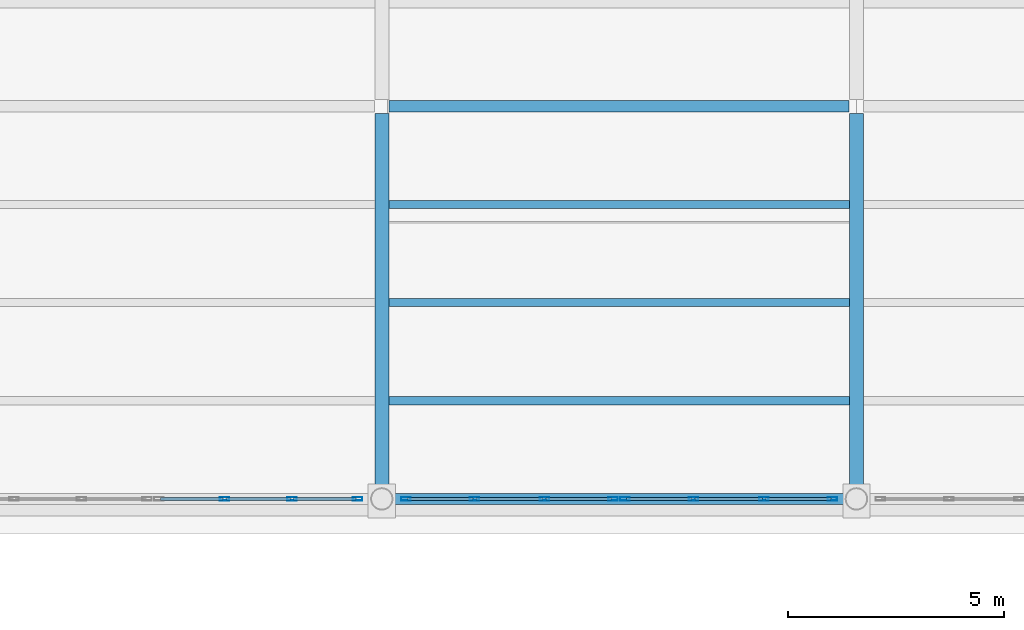
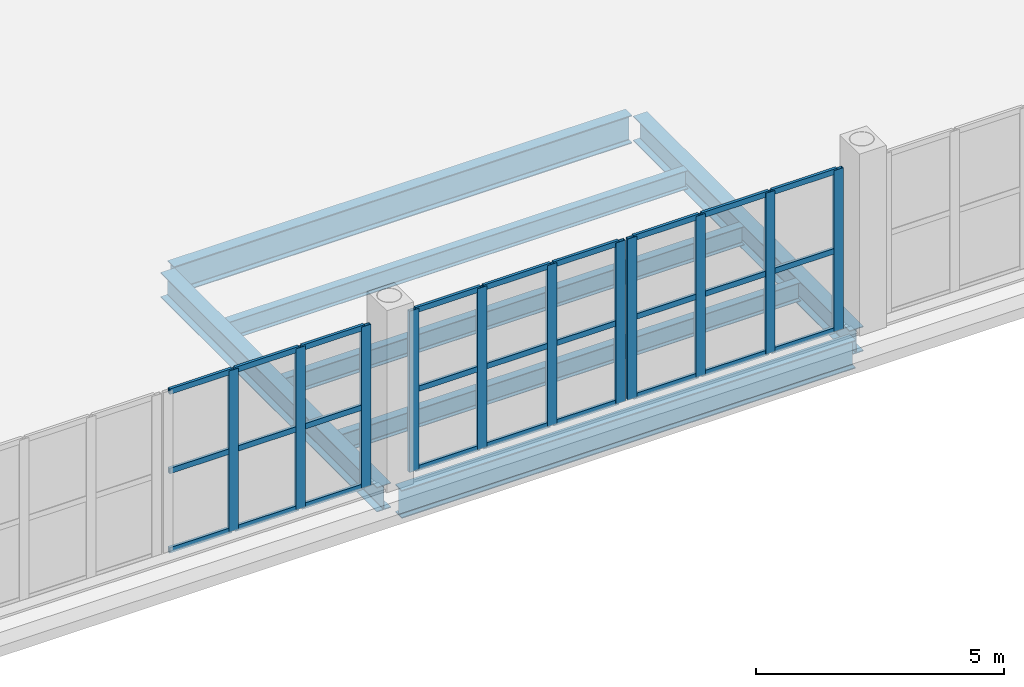
# One storey, part 39 of 156: 38 members, 7 beams, 3 elements without a shape of their own.
"""IFC4 building model written with IfcOpenShell, lengths in metres."""

import ifcopenshell
import ifcopenshell.guid

model = None  # the IFC model being written
_history = None  # IfcOwnerHistory: only IFC2X3 demands one
_inside = {}  # id of a spatial element -> (the spatial element, [elements in it])
_under = {}  # id of a project, library or spatial element -> (it, [spatial elements below it])
_declared = {}  # id of a project -> (the project, [libraries it declares])
_typed = {}  # id of a type object -> (the type object, [elements of that type])
_made_of = {}  # id of a material, layer set ... -> (it, [elements and type objects made of it])


def new_model(schema):
    """Start an empty IFC model of exactly this schema.

    Asked for "IFC4X3", IfcOpenShell would pick the latest addendum, in which some entities
    have other attributes; the version numbers below select the first issue.
    IFC2X3 requires an IfcOwnerHistory on every rooted entity: one is made here for all.
    """
    global model, _history
    if schema == "IFC4X3":
        model = ifcopenshell.file(schema_version=(4, 3, 0, 0))
    else:
        model = ifcopenshell.file(schema=schema)
    _inside.clear()
    _under.clear()
    _declared.clear()
    _typed.clear()
    _made_of.clear()
    _history = None
    if model.schema == "IFC2X3":
        org = make("IfcOrganization", Name="unknown")
        user = make(
            "IfcPersonAndOrganization",
            ThePerson=make("IfcPerson", FamilyName="unknown"),
            TheOrganization=org,
        )
        app = make(
            "IfcApplication",
            ApplicationDeveloper=org,
            Version="unknown",
            ApplicationFullName="unknown",
            ApplicationIdentifier="unknown",
        )
        _history = make(
            "IfcOwnerHistory",
            OwningUser=user,
            OwningApplication=app,
            ChangeAction="ADDED",
            CreationDate=0,
        )
    return model


def make(cls, **values):
    """One entity of the class cls with the attributes given. An attribute that is None is left unset."""
    return model.create_entity(
        cls, **{name: value for name, value in values.items() if value is not None}
    )


def rooted(cls, **values):
    """An entity with a GlobalId (a new one), such as an element, a storey or a relation."""
    return make(cls, GlobalId=ifcopenshell.guid.new(), OwnerHistory=_history, **values)


def si_unit(unit_type, name, prefix=None):
    """IfcSIUnit, for example si_unit("LENGTHUNIT", "METRE", prefix="MILLI")."""
    return make("IfcSIUnit", UnitType=unit_type, Prefix=prefix, Name=name)


def assignment(units):
    """IfcUnitAssignment: the units of a project."""
    return None if units is None else make("IfcUnitAssignment", Units=units)


def point(xyz):
    """IfcCartesianPoint."""
    return None if xyz is None else make("IfcCartesianPoint", Coordinates=xyz)


def direction(xyz):
    """IfcDirection."""
    return None if xyz is None else make("IfcDirection", DirectionRatios=xyz)


def frame(location, z_axis=None, x_axis=None):
    """IfcAxis2Placement3D, a coordinate frame: its origin and axes. An axis left out is left unset."""
    return make(
        "IfcAxis2Placement3D",
        Location=point(location),
        Axis=direction(z_axis),
        RefDirection=direction(x_axis),
    )


def frame_2d(location, x_axis=None):
    """IfcAxis2Placement2D, a coordinate frame in the plane: its origin and x axis."""
    return make(
        "IfcAxis2Placement2D", Location=point(location), RefDirection=direction(x_axis)
    )


def origin():
    """The frame at (0, 0, 0) with its axes left unset."""
    return frame((0.0, 0.0, 0.0))


def origin_2d():
    """The frame at (0, 0) in the plane with its x axis left unset."""
    return frame_2d((0.0, 0.0))


def place(relative_to, where):
    """IfcLocalPlacement: puts the frame where relative to a parent placement (None: the world)."""
    return make(
        "IfcLocalPlacement", PlacementRelTo=relative_to, RelativePlacement=where
    )


def context(
    kind, dimensions, precision=None, world=None, true_north=None, identifier=None
):
    """IfcGeometricRepresentationContext, for example the 3D "Model" context."""
    return make(
        "IfcGeometricRepresentationContext",
        ContextIdentifier=identifier,
        ContextType=kind,
        CoordinateSpaceDimension=dimensions,
        Precision=precision,
        WorldCoordinateSystem=world,
        TrueNorth=true_north,
    )


def subcontext(parent, identifier, kind, view, scale=None):
    """IfcGeometricRepresentationSubContext, for example "Body" below "Model"."""
    return make(
        "IfcGeometricRepresentationSubContext",
        ContextIdentifier=identifier,
        ContextType=kind,
        ParentContext=parent,
        TargetScale=scale,
        TargetView=view,
    )


def project(units=None, contexts=None):
    """IfcProject with its units and contexts."""
    return rooted(
        "IfcProject",
        Name="project",
        RepresentationContexts=contexts,
        UnitsInContext=assignment(units),
    )


def spatial(cls, under=None, at=None, **own):
    """A site, building, storey or space (cls), placed at a placement, below another one or the project."""
    s = rooted(cls, ObjectPlacement=at, **own)
    if under is not None:
        _under.setdefault(under.id(), (under, []))[1].append(s)
    return s


def profile(cls, at=None, kind="AREA", **sizes):
    """A parametric profile (cls). Its sizes go by their IFC names, for example OverallWidth=200.0."""
    return make(cls, ProfileType=kind, Position=at, **sizes)


def hollow_rectangle(**sizes):
    """IfcRectangleHollowProfileDef."""
    return profile("IfcRectangleHollowProfileDef", **sizes)


def i_section(**sizes):
    """IfcIShapeProfileDef."""
    return profile("IfcIShapeProfileDef", **sizes)


def extrude(swept, where, along, depth):
    """IfcExtrudedAreaSolid: the profile swept, set in the frame where, extruded along a direction by depth."""
    return make(
        "IfcExtrudedAreaSolid",
        SweptArea=swept,
        Position=where,
        ExtrudedDirection=direction(along),
        Depth=depth,
    )


def shape(context_of_items, identifier, shape_type, items):
    """IfcShapeRepresentation: the items that make up one representation, for example the "Body"."""
    return make(
        "IfcShapeRepresentation",
        ContextOfItems=context_of_items,
        RepresentationIdentifier=identifier,
        RepresentationType=shape_type,
        Items=items,
    )


def material(Name=None, Category=None):
    """IfcMaterial."""
    return make("IfcMaterial", Name=Name, Category=Category)


def material_profile(
    of_material, cross_section, Name=None, Category=None, Priority=None
):
    """IfcMaterialProfile: a cross section and its material."""
    return make(
        "IfcMaterialProfile",
        Name=Name,
        Material=of_material,
        Profile=cross_section,
        Priority=Priority,
        Category=Category,
    )


def profile_set(profiles, Name=None, composite=None):
    """IfcMaterialProfileSet."""
    return make(
        "IfcMaterialProfileSet",
        Name=Name,
        MaterialProfiles=profiles,
        CompositeProfile=composite,
    )


def made_of(thing, what):
    """Note that an element or type object is made of a material, layer set ...; save() writes the relation."""
    if what is not None:
        _made_of.setdefault(what.id(), (what, []))[1].append(thing)
    return thing


def type_object(cls, material=None, **own):
    """A type object (cls), such as IfcWallType, which elements share."""
    return made_of(rooted(cls, **own), material)


def element(
    cls,
    number,
    at=None,
    inside=None,
    cuts=None,
    type_object=None,
    material=None,
    context=None,
    identifier="Body",
    shape_type=None,
    held_by="IfcProductDefinitionShape",
    body=None,
    shapes=None,
    **own,
):
    """One element of the class cls, such as IfcWall. Its Tag is "e" and its number.

    at: its placement. inside: the storey or other place that contains it. cuts: it is an
    opening in that element (IfcRelVoidsElement). A single representation is given by context,
    identifier, shape_type and body (its items); several are given by shapes. held_by: the class
    of the entity that holds the representations. save() writes the other relations.
    """
    e = rooted(cls, Tag="e%d" % number, ObjectPlacement=at, **own)
    if body is not None:
        shapes = [shape(context, identifier, shape_type, body)]
    if shapes is not None:
        e.Representation = make(held_by, Representations=shapes)
    if inside is not None:
        _inside.setdefault(inside.id(), (inside, []))[1].append(e)
    if cuts is not None:
        rooted(
            "IfcRelVoidsElement", RelatingBuildingElement=cuts, RelatedOpeningElement=e
        )
    if type_object is not None:
        _typed.setdefault(type_object.id(), (type_object, []))[1].append(e)
    return made_of(e, material)


def aggregate(whole, parts):
    """IfcRelAggregates: a whole, such as a stair, and the parts it consists of."""
    return rooted("IfcRelAggregates", RelatingObject=whole, RelatedObjects=parts)


def save(model, path):
    """Write the relations noted so far, then the file.

    IfcRelAggregates (storeys below a building ...), IfcRelContainedInSpatialStructure (elements
    in a storey), IfcRelDefinesByType, IfcRelAssociatesMaterial and IfcRelDeclares: one each for
    every whole, place, type object, material and project.
    """
    for whole, parts in _under.values():
        aggregate(whole, parts)
    for where, things in _inside.values():
        rooted(
            "IfcRelContainedInSpatialStructure",
            RelatedElements=things,
            RelatingStructure=where,
        )
    for kind, things in _typed.values():
        rooted("IfcRelDefinesByType", RelatedObjects=things, RelatingType=kind)
    for what, things in _made_of.values():
        rooted("IfcRelAssociatesMaterial", RelatedObjects=things, RelatingMaterial=what)
    for by, libraries in _declared.values():
        rooted("IfcRelDeclares", RelatingContext=by, RelatedDefinitions=libraries)
    model.write(path)


model = new_model("IFC4")

# Units and contexts
model_context = context("Model", 3, precision=1e-05, world=origin(), true_north=direction((0.0, 1.0)))
body_context = subcontext(model_context, "Body", "Model", "MODEL_VIEW")
ifc_project = project(units=[si_unit("LENGTHUNIT", "METRE"), si_unit("AREAUNIT", "SQUARE_METRE"), si_unit("VOLUMEUNIT", "CUBIC_METRE"), si_unit("PLANEANGLEUNIT", "RADIAN"), si_unit("MASSUNIT", "GRAM", prefix="KILO")], contexts=[model_context])

# Site, building, storey
site_placement = place(None, origin())
site = spatial("IfcSite", under=ifc_project, at=site_placement, CompositionType="ELEMENT")
building_placement = place(site_placement, origin())
building = spatial("IfcBuilding", under=site, at=building_placement, Name="Caurita Quay Ferry Terminal", CompositionType="ELEMENT")
storey_placement = place(building_placement, frame((0.0, 0.0, 5.39990234375)))
storey = spatial("IfcBuildingStorey", under=building, at=storey_placement, Name="L01", CompositionType="ELEMENT", Elevation=5.39990234375)

# Beams
ifc_material_1 = material(Name="Structural steel ASTM A992 Gr. 50", Category="steel")
ifc_material_profile_1 = material_profile(ifc_material_1, i_section(OverallWidth=0.3251953125, OverallDepth=0.612060546875, WebThickness=0.0126953125, FlangeThickness=0.01904296875, FilletRadius=0.01513671875, at=origin_2d()), Name="W24X104")
ifc_profile_set_1 = profile_set([ifc_material_profile_1], Name="Structural steel ASTM A992 Gr. 50")
beam_type_1 = type_object("IfcBeamType", Name="BM-GR-W24A", PredefinedType="BEAM", material=ifc_profile_set_1)
for number, where, z_axis, x_axis, name in (
    (1, (99.199951171875, 34.81591796875, -0.60595703125), (0.0, 1.0, 0.0), (-1.0, 0.0, 0.0), "L01 Beam BM-V2-L01-Y-992-348"),
    (2, (110.199951171875, 34.81591796875, -0.60595703125), (0.0, 1.0, 0.0), (-1.0, 0.0, 0.0), "L01 Beam BM-V2-L01-Y-1102-348"),
):
    element("IfcBeam", number, at=place(storey_placement, frame(where, z_axis=z_axis, x_axis=x_axis)), inside=storey, type_object=beam_type_1, Name=name, PredefinedType="BEAM", context=body_context, shape_type="SweptSolid", body=[
        extrude(i_section(OverallWidth=0.3251953125, OverallDepth=0.612060546875, WebThickness=0.0126953125, FlangeThickness=0.01904296875, FilletRadius=0.01513671875, at=origin_2d()), origin(), (0.0, 0.0, 1.0), 8.72216796875),
    ])
ifc_material_profile_2 = material_profile(ifc_material_1, i_section(OverallWidth=0.256591796875, OverallDepth=0.693359375, WebThickness=0.014404296875, FlangeThickness=0.023681640625, FilletRadius=0.017822265625, at=origin_2d()), Name="W27X114")
ifc_profile_set_2 = profile_set([ifc_material_profile_2], Name="Structural steel ASTM A992 Gr. 50")
beam_type_2 = type_object("IfcBeamType", Name="BM-GR-W27A", PredefinedType="BEAM", material=ifc_profile_set_2)
beam_1_placement = place(storey_placement, frame((99.416015625, 34.60009765625, -0.646484375), z_axis=(1.0, 0.0, 0.0), x_axis=(0.0, 1.0, 0.0)))
element("IfcBeam", 3, at=beam_1_placement, inside=storey, type_object=beam_type_2, Name="L01 Beam BM-V2-L01-X-994-346", PredefinedType="BEAM", context=body_context, shape_type="SweptSolid", body=[
    extrude(i_section(OverallWidth=0.256591796875, OverallDepth=0.693359375, WebThickness=0.014404296875, FlangeThickness=0.023681640625, FilletRadius=0.017822265625, at=origin_2d()), origin(), (0.0, 0.0, 1.0), 10.568115234375),
])
beam_2_placement = place(storey_placement, frame((99.368408203125, 43.699951171875, -0.646484375), z_axis=(1.0, 0.0, 0.0), x_axis=(0.0, 1.0, 0.0)))
element("IfcBeam", 4, at=beam_2_placement, inside=storey, type_object=beam_type_2, Name="L01 Beam BM-V2-L01-X-994-437", PredefinedType="BEAM", context=body_context, shape_type="SweptSolid", body=[
    extrude(i_section(OverallWidth=0.256591796875, OverallDepth=0.693359375, WebThickness=0.014404296875, FlangeThickness=0.023681640625, FilletRadius=0.017822265625, at=origin_2d()), origin(), (0.0, 0.0, 1.0), 10.663330078125),
])
ifc_material_profile_3 = material_profile(ifc_material_1, i_section(OverallWidth=0.1904296875, OverallDepth=0.457275390625, WebThickness=0.009033203125, FlangeThickness=0.014404296875, FilletRadius=0.0126953125, at=origin_2d()), Name="W18X50")
ifc_profile_set_3 = profile_set([ifc_material_profile_3], Name="Structural steel ASTM A992 Gr. 50")
beam_type_3 = type_object("IfcBeamType", Name="BM-JS-W18B", PredefinedType="JOIST", material=ifc_profile_set_3)
for number, where, z_axis, x_axis, name in (
    (5, (99.362548828125, 36.875, -0.528564453125), (1.0, 0.0, 0.0), (0.0, 1.0, 0.0), "L01 Beam JS-V2-L01-010"),
    (6, (99.362548828125, 39.14990234375, -0.528564453125), (1.0, 0.0, 0.0), (0.0, 1.0, 0.0), "L01 Beam JS-V2-L01-011"),
    (7, (99.362548828125, 41.425048828125, -0.528564453125), (1.0, 0.0, 0.0), (0.0, 1.0, 0.0), "L01 Beam JS-V2-L01-012"),
):
    element("IfcBeam", number, at=place(storey_placement, frame(where, z_axis=z_axis, x_axis=x_axis)), inside=storey, type_object=beam_type_3, Name=name, PredefinedType="JOIST", context=body_context, shape_type="SweptSolid", body=[
        extrude(i_section(OverallWidth=0.1904296875, OverallDepth=0.457275390625, WebThickness=0.009033203125, FlangeThickness=0.014404296875, FilletRadius=0.0126953125, at=origin_2d()), origin(), (0.0, 0.0, 1.0), 10.675048828125),
    ])

# Curtain wall, members
ifc_material_2 = material(Name="Laminated solar-control insulated glass", Category="glass")
curtain_wall_type_1 = type_object("IfcCurtainWallType", Name="CW-SYS-09", PredefinedType="NOTDEFINED", material=ifc_material_2)
curtain_wall_1_placement = place(storey_placement, origin())
curtain_wall_1 = element("IfcCurtainWall", 8, at=curtain_wall_1_placement, inside=storey, type_object=curtain_wall_type_1, Name="V2 Waterside Concourse Curtain Wall 066", PredefinedType="NOTDEFINED")
ifc_material_3 = material(Name="Anodized aluminium 6063-T6", Category="aluminium")
ifc_material_profile_4 = material_profile(ifc_material_3, hollow_rectangle(XDim=0.074951171875, YDim=0.219970703125, WallThickness=0.00390625, at=origin_2d()), Name="ALU-MUL-75X220")
ifc_profile_set_4 = profile_set([ifc_material_profile_4], Name="Anodized aluminium 6063-T6")
member_type_1 = type_object("IfcMemberType", Name="CW-MUL-220", PredefinedType="MULLION", material=ifc_profile_set_4)
member_1_placement = place(storey_placement, frame((95.56005859375, 34.60009765625, 0.0), z_axis=(0.0, 0.0, 1.0), x_axis=(0.0, 1.0, 0.0)))
member_1 = element("IfcMember", 9, at=member_1_placement, type_object=member_type_1, Name="CW-SEA-066 Mullion 2", PredefinedType="MULLION", context=body_context, shape_type="SweptSolid", body=[
    extrude(hollow_rectangle(XDim=0.074951171875, YDim=0.219970703125, WallThickness=0.00390625, at=origin_2d()), origin(), (0.0, 0.0, 1.0), 3.97021484375),
])
member_2_placement = place(storey_placement, frame((97.1201171875, 34.60009765625, 0.0), z_axis=(0.0, 0.0, 1.0), x_axis=(0.0, 1.0, 0.0)))
member_2 = element("IfcMember", 10, at=member_2_placement, type_object=member_type_1, Name="CW-SEA-066 Mullion 3", PredefinedType="MULLION", context=body_context, shape_type="SweptSolid", body=[
    extrude(hollow_rectangle(XDim=0.074951171875, YDim=0.219970703125, WallThickness=0.00390625, at=origin_2d()), origin(), (0.0, 0.0, 1.0), 3.97021484375),
])
member_3_placement = place(storey_placement, frame((98.642578125, 34.60009765625, 0.0), z_axis=(0.0, 0.0, 1.0), x_axis=(0.0, 1.0, 0.0)))
member_3 = element("IfcMember", 11, at=member_3_placement, type_object=member_type_1, Name="CW-SEA-066 Mullion 4", PredefinedType="MULLION", context=body_context, shape_type="SweptSolid", body=[
    extrude(hollow_rectangle(XDim=0.074951171875, YDim=0.219970703125, WallThickness=0.00390625, at=origin_2d()), origin(), (0.0, 0.0, 1.0), 3.97021484375),
])

curtain_wall_type_2 = type_object("IfcCurtainWallType", Name="CW-SYS-08", PredefinedType="NOTDEFINED", material=ifc_material_2)
curtain_wall_2_placement = place(storey_placement, origin())
curtain_wall_2 = element("IfcCurtainWall", 12, at=curtain_wall_2_placement, inside=storey, type_object=curtain_wall_type_2, Name="V2 Waterside Concourse Curtain Wall 067", PredefinedType="NOTDEFINED")
member_4_placement = place(storey_placement, frame((99.757568359375, 34.60009765625, 0.0), z_axis=(0.0, 0.0, 1.0), x_axis=(0.0, 1.0, 0.0)))
member_4 = element("IfcMember", 13, at=member_4_placement, type_object=member_type_1, Name="CW-SEA-067 Mullion 1", PredefinedType="MULLION", context=body_context, shape_type="SweptSolid", body=[
    extrude(hollow_rectangle(XDim=0.074951171875, YDim=0.219970703125, WallThickness=0.00390625, at=origin_2d()), origin(), (0.0, 0.0, 1.0), 3.97021484375),
])
member_5_placement = place(storey_placement, frame((101.3466796875, 34.60009765625, 0.0), z_axis=(0.0, 0.0, 1.0), x_axis=(0.0, 1.0, 0.0)))
member_5 = element("IfcMember", 14, at=member_5_placement, type_object=member_type_1, Name="CW-SEA-067 Mullion 2", PredefinedType="MULLION", context=body_context, shape_type="SweptSolid", body=[
    extrude(hollow_rectangle(XDim=0.074951171875, YDim=0.219970703125, WallThickness=0.00390625, at=origin_2d()), origin(), (0.0, 0.0, 1.0), 3.97021484375),
])
member_6_placement = place(storey_placement, frame((102.973388671875, 34.60009765625, 0.0), z_axis=(0.0, 0.0, 1.0), x_axis=(0.0, 1.0, 0.0)))
member_6 = element("IfcMember", 15, at=member_6_placement, type_object=member_type_1, Name="CW-SEA-067 Mullion 3", PredefinedType="MULLION", context=body_context, shape_type="SweptSolid", body=[
    extrude(hollow_rectangle(XDim=0.074951171875, YDim=0.219970703125, WallThickness=0.00390625, at=origin_2d()), origin(), (0.0, 0.0, 1.0), 3.97021484375),
])
member_7_placement = place(storey_placement, frame((104.5625, 34.60009765625, 0.0), z_axis=(0.0, 0.0, 1.0), x_axis=(0.0, 1.0, 0.0)))
member_7 = element("IfcMember", 16, at=member_7_placement, type_object=member_type_1, Name="CW-SEA-067 Mullion 4", PredefinedType="MULLION", context=body_context, shape_type="SweptSolid", body=[
    extrude(hollow_rectangle(XDim=0.074951171875, YDim=0.219970703125, WallThickness=0.00390625, at=origin_2d()), origin(), (0.0, 0.0, 1.0), 3.97021484375),
])

curtain_wall_3_placement = place(storey_placement, origin())
curtain_wall_3 = element("IfcCurtainWall", 17, at=curtain_wall_3_placement, inside=storey, type_object=curtain_wall_type_2, Name="V2 Waterside Concourse Curtain Wall 068", PredefinedType="NOTDEFINED")
member_8_placement = place(storey_placement, frame((104.83740234375, 34.60009765625, 0.0), z_axis=(0.0, 0.0, 1.0), x_axis=(0.0, 1.0, 0.0)))
member_8 = element("IfcMember", 18, at=member_8_placement, type_object=member_type_1, Name="CW-SEA-068 Mullion 1", PredefinedType="MULLION", context=body_context, shape_type="SweptSolid", body=[
    extrude(hollow_rectangle(XDim=0.074951171875, YDim=0.219970703125, WallThickness=0.00390625, at=origin_2d()), origin(), (0.0, 0.0, 1.0), 3.97021484375),
])
member_9_placement = place(storey_placement, frame((106.4267578125, 34.60009765625, 0.0), z_axis=(0.0, 0.0, 1.0), x_axis=(0.0, 1.0, 0.0)))
member_9 = element("IfcMember", 19, at=member_9_placement, type_object=member_type_1, Name="CW-SEA-068 Mullion 2", PredefinedType="MULLION", context=body_context, shape_type="SweptSolid", body=[
    extrude(hollow_rectangle(XDim=0.074951171875, YDim=0.219970703125, WallThickness=0.00390625, at=origin_2d()), origin(), (0.0, 0.0, 1.0), 3.97021484375),
])
member_10_placement = place(storey_placement, frame((108.05322265625, 34.60009765625, 0.0), z_axis=(0.0, 0.0, 1.0), x_axis=(0.0, 1.0, 0.0)))
member_10 = element("IfcMember", 20, at=member_10_placement, type_object=member_type_1, Name="CW-SEA-068 Mullion 3", PredefinedType="MULLION", context=body_context, shape_type="SweptSolid", body=[
    extrude(hollow_rectangle(XDim=0.074951171875, YDim=0.219970703125, WallThickness=0.00390625, at=origin_2d()), origin(), (0.0, 0.0, 1.0), 3.97021484375),
])
member_11_placement = place(storey_placement, frame((109.642578125, 34.60009765625, 0.0), z_axis=(0.0, 0.0, 1.0), x_axis=(0.0, 1.0, 0.0)))
member_11 = element("IfcMember", 21, at=member_11_placement, type_object=member_type_1, Name="CW-SEA-068 Mullion 4", PredefinedType="MULLION", context=body_context, shape_type="SweptSolid", body=[
    extrude(hollow_rectangle(XDim=0.074951171875, YDim=0.219970703125, WallThickness=0.00390625, at=origin_2d()), origin(), (0.0, 0.0, 1.0), 3.97021484375),
])

# Member
ifc_material_profile_5 = material_profile(ifc_material_3, hollow_rectangle(XDim=0.06494140625, YDim=0.135009765625, WallThickness=0.00341796875, at=origin_2d()), Name="ALU-TRN-65X135")
ifc_profile_set_5 = profile_set([ifc_material_profile_5], Name="Anodized aluminium 6063-T6")
member_type_2 = type_object("IfcMemberType", Name="CW-TRN-135", PredefinedType="USERDEFINED", material=ifc_profile_set_5)
member_12_placement = place(storey_placement, frame((94.072998046875, 34.60009765625, 0.03271484375), z_axis=(1.0, 0.0, 0.0), x_axis=(0.0, 1.0, 0.0)))
member_12 = element("IfcMember", 22, at=member_12_placement, type_object=member_type_2, Name="CW-SEA-066 Transom 1", ObjectType="TRANSOM", PredefinedType="USERDEFINED", context=body_context, shape_type="SweptSolid", body=[
    extrude(hollow_rectangle(XDim=0.06494140625, YDim=0.135009765625, WallThickness=0.00341796875, at=origin_2d()), origin(), (0.0, 0.0, 1.0), 1.451416015625),
])

member_13_placement = place(storey_placement, frame((94.072998046875, 34.60009765625, 1.985107421875), z_axis=(1.0, 0.0, 0.0), x_axis=(0.0, 1.0, 0.0)))
member_13 = element("IfcMember", 23, at=member_13_placement, type_object=member_type_2, Name="CW-SEA-066 Transom 2", ObjectType="TRANSOM", PredefinedType="USERDEFINED", context=body_context, shape_type="SweptSolid", body=[
    extrude(hollow_rectangle(XDim=0.06494140625, YDim=0.135009765625, WallThickness=0.00341796875, at=origin_2d()), origin(), (0.0, 0.0, 1.0), 1.451416015625),
])

member_14_placement = place(storey_placement, frame((94.072998046875, 34.60009765625, 3.9375), z_axis=(1.0, 0.0, 0.0), x_axis=(0.0, 1.0, 0.0)))
member_14 = element("IfcMember", 24, at=member_14_placement, type_object=member_type_2, Name="CW-SEA-066 Transom 3", ObjectType="TRANSOM", PredefinedType="USERDEFINED", context=body_context, shape_type="SweptSolid", body=[
    extrude(hollow_rectangle(XDim=0.06494140625, YDim=0.135009765625, WallThickness=0.00341796875, at=origin_2d()), origin(), (0.0, 0.0, 1.0), 1.451416015625),
])

member_15_placement = place(storey_placement, frame((95.595458984375, 34.60009765625, 0.03271484375), z_axis=(1.0, 0.0, 0.0), x_axis=(0.0, 1.0, 0.0)))
member_15 = element("IfcMember", 25, at=member_15_placement, type_object=member_type_2, Name="CW-SEA-066 Transom 4", ObjectType="TRANSOM", PredefinedType="USERDEFINED", context=body_context, shape_type="SweptSolid", body=[
    extrude(hollow_rectangle(XDim=0.06494140625, YDim=0.135009765625, WallThickness=0.00341796875, at=origin_2d()), origin(), (0.0, 0.0, 1.0), 1.489013671875),
])

member_16_placement = place(storey_placement, frame((95.595458984375, 34.60009765625, 1.985107421875), z_axis=(1.0, 0.0, 0.0), x_axis=(0.0, 1.0, 0.0)))
member_16 = element("IfcMember", 26, at=member_16_placement, type_object=member_type_2, Name="CW-SEA-066 Transom 5", ObjectType="TRANSOM", PredefinedType="USERDEFINED", context=body_context, shape_type="SweptSolid", body=[
    extrude(hollow_rectangle(XDim=0.06494140625, YDim=0.135009765625, WallThickness=0.00341796875, at=origin_2d()), origin(), (0.0, 0.0, 1.0), 1.489013671875),
])

member_17_placement = place(storey_placement, frame((95.595458984375, 34.60009765625, 3.9375), z_axis=(1.0, 0.0, 0.0), x_axis=(0.0, 1.0, 0.0)))
member_17 = element("IfcMember", 27, at=member_17_placement, type_object=member_type_2, Name="CW-SEA-066 Transom 6", ObjectType="TRANSOM", PredefinedType="USERDEFINED", context=body_context, shape_type="SweptSolid", body=[
    extrude(hollow_rectangle(XDim=0.06494140625, YDim=0.135009765625, WallThickness=0.00341796875, at=origin_2d()), origin(), (0.0, 0.0, 1.0), 1.489013671875),
])

member_18_placement = place(storey_placement, frame((97.155517578125, 34.60009765625, 0.03271484375), z_axis=(1.0, 0.0, 0.0), x_axis=(0.0, 1.0, 0.0)))
member_18 = element("IfcMember", 28, at=member_18_placement, type_object=member_type_2, Name="CW-SEA-066 Transom 7", ObjectType="TRANSOM", PredefinedType="USERDEFINED", context=body_context, shape_type="SweptSolid", body=[
    extrude(hollow_rectangle(XDim=0.06494140625, YDim=0.135009765625, WallThickness=0.00341796875, at=origin_2d()), origin(), (0.0, 0.0, 1.0), 1.451416015625),
])

member_19_placement = place(storey_placement, frame((97.155517578125, 34.60009765625, 1.985107421875), z_axis=(1.0, 0.0, 0.0), x_axis=(0.0, 1.0, 0.0)))
member_19 = element("IfcMember", 29, at=member_19_placement, type_object=member_type_2, Name="CW-SEA-066 Transom 8", ObjectType="TRANSOM", PredefinedType="USERDEFINED", context=body_context, shape_type="SweptSolid", body=[
    extrude(hollow_rectangle(XDim=0.06494140625, YDim=0.135009765625, WallThickness=0.00341796875, at=origin_2d()), origin(), (0.0, 0.0, 1.0), 1.451416015625),
])

member_20_placement = place(storey_placement, frame((97.155517578125, 34.60009765625, 3.9375), z_axis=(1.0, 0.0, 0.0), x_axis=(0.0, 1.0, 0.0)))
member_20 = element("IfcMember", 30, at=member_20_placement, type_object=member_type_2, Name="CW-SEA-066 Transom 9", ObjectType="TRANSOM", PredefinedType="USERDEFINED", context=body_context, shape_type="SweptSolid", body=[
    extrude(hollow_rectangle(XDim=0.06494140625, YDim=0.135009765625, WallThickness=0.00341796875, at=origin_2d()), origin(), (0.0, 0.0, 1.0), 1.451416015625),
])

aggregate(curtain_wall_1, [member_1, member_2, member_3, member_12, member_13, member_14, member_15, member_16, member_17, member_18, member_19, member_20])

member_21_placement = place(storey_placement, frame((99.79296875, 34.60009765625, 0.03271484375), z_axis=(1.0, 0.0, 0.0), x_axis=(0.0, 1.0, 0.0)))
member_21 = element("IfcMember", 31, at=member_21_placement, type_object=member_type_2, Name="CW-SEA-067 Transom 1", ObjectType="TRANSOM", PredefinedType="USERDEFINED", context=body_context, shape_type="SweptSolid", body=[
    extrude(hollow_rectangle(XDim=0.06494140625, YDim=0.135009765625, WallThickness=0.00341796875, at=origin_2d()), origin(), (0.0, 0.0, 1.0), 1.518310546875),
])

member_22_placement = place(storey_placement, frame((99.79296875, 34.60009765625, 1.985107421875), z_axis=(1.0, 0.0, 0.0), x_axis=(0.0, 1.0, 0.0)))
member_22 = element("IfcMember", 32, at=member_22_placement, type_object=member_type_2, Name="CW-SEA-067 Transom 2", ObjectType="TRANSOM", PredefinedType="USERDEFINED", context=body_context, shape_type="SweptSolid", body=[
    extrude(hollow_rectangle(XDim=0.06494140625, YDim=0.135009765625, WallThickness=0.00341796875, at=origin_2d()), origin(), (0.0, 0.0, 1.0), 1.518310546875),
])

member_23_placement = place(storey_placement, frame((99.79296875, 34.60009765625, 3.9375), z_axis=(1.0, 0.0, 0.0), x_axis=(0.0, 1.0, 0.0)))
member_23 = element("IfcMember", 33, at=member_23_placement, type_object=member_type_2, Name="CW-SEA-067 Transom 3", ObjectType="TRANSOM", PredefinedType="USERDEFINED", context=body_context, shape_type="SweptSolid", body=[
    extrude(hollow_rectangle(XDim=0.06494140625, YDim=0.135009765625, WallThickness=0.00341796875, at=origin_2d()), origin(), (0.0, 0.0, 1.0), 1.518310546875),
])

member_24_placement = place(storey_placement, frame((101.382080078125, 34.60009765625, 0.03271484375), z_axis=(1.0, 0.0, 0.0), x_axis=(0.0, 1.0, 0.0)))
member_24 = element("IfcMember", 34, at=member_24_placement, type_object=member_type_2, Name="CW-SEA-067 Transom 4", ObjectType="TRANSOM", PredefinedType="USERDEFINED", context=body_context, shape_type="SweptSolid", body=[
    extrude(hollow_rectangle(XDim=0.06494140625, YDim=0.135009765625, WallThickness=0.00341796875, at=origin_2d()), origin(), (0.0, 0.0, 1.0), 1.5556640625),
])

member_25_placement = place(storey_placement, frame((101.382080078125, 34.60009765625, 1.985107421875), z_axis=(1.0, 0.0, 0.0), x_axis=(0.0, 1.0, 0.0)))
member_25 = element("IfcMember", 35, at=member_25_placement, type_object=member_type_2, Name="CW-SEA-067 Transom 5", ObjectType="TRANSOM", PredefinedType="USERDEFINED", context=body_context, shape_type="SweptSolid", body=[
    extrude(hollow_rectangle(XDim=0.06494140625, YDim=0.135009765625, WallThickness=0.00341796875, at=origin_2d()), origin(), (0.0, 0.0, 1.0), 1.5556640625),
])

member_26_placement = place(storey_placement, frame((101.382080078125, 34.60009765625, 3.9375), z_axis=(1.0, 0.0, 0.0), x_axis=(0.0, 1.0, 0.0)))
member_26 = element("IfcMember", 36, at=member_26_placement, type_object=member_type_2, Name="CW-SEA-067 Transom 6", ObjectType="TRANSOM", PredefinedType="USERDEFINED", context=body_context, shape_type="SweptSolid", body=[
    extrude(hollow_rectangle(XDim=0.06494140625, YDim=0.135009765625, WallThickness=0.00341796875, at=origin_2d()), origin(), (0.0, 0.0, 1.0), 1.5556640625),
])

member_27_placement = place(storey_placement, frame((103.0087890625, 34.60009765625, 0.03271484375), z_axis=(1.0, 0.0, 0.0), x_axis=(0.0, 1.0, 0.0)))
member_27 = element("IfcMember", 37, at=member_27_placement, type_object=member_type_2, Name="CW-SEA-067 Transom 7", ObjectType="TRANSOM", PredefinedType="USERDEFINED", context=body_context, shape_type="SweptSolid", body=[
    extrude(hollow_rectangle(XDim=0.06494140625, YDim=0.135009765625, WallThickness=0.00341796875, at=origin_2d()), origin(), (0.0, 0.0, 1.0), 1.518310546875),
])

member_28_placement = place(storey_placement, frame((103.0087890625, 34.60009765625, 1.985107421875), z_axis=(1.0, 0.0, 0.0), x_axis=(0.0, 1.0, 0.0)))
member_28 = element("IfcMember", 38, at=member_28_placement, type_object=member_type_2, Name="CW-SEA-067 Transom 8", ObjectType="TRANSOM", PredefinedType="USERDEFINED", context=body_context, shape_type="SweptSolid", body=[
    extrude(hollow_rectangle(XDim=0.06494140625, YDim=0.135009765625, WallThickness=0.00341796875, at=origin_2d()), origin(), (0.0, 0.0, 1.0), 1.518310546875),
])

member_29_placement = place(storey_placement, frame((103.0087890625, 34.60009765625, 3.9375), z_axis=(1.0, 0.0, 0.0), x_axis=(0.0, 1.0, 0.0)))
member_29 = element("IfcMember", 39, at=member_29_placement, type_object=member_type_2, Name="CW-SEA-067 Transom 9", ObjectType="TRANSOM", PredefinedType="USERDEFINED", context=body_context, shape_type="SweptSolid", body=[
    extrude(hollow_rectangle(XDim=0.06494140625, YDim=0.135009765625, WallThickness=0.00341796875, at=origin_2d()), origin(), (0.0, 0.0, 1.0), 1.518310546875),
])

aggregate(curtain_wall_2, [member_4, member_5, member_6, member_7, member_21, member_22, member_23, member_24, member_25, member_26, member_27, member_28, member_29])

member_30_placement = place(storey_placement, frame((104.873046875, 34.60009765625, 0.03271484375), z_axis=(1.0, 0.0, 0.0), x_axis=(0.0, 1.0, 0.0)))
member_30 = element("IfcMember", 40, at=member_30_placement, type_object=member_type_2, Name="CW-SEA-068 Transom 1", ObjectType="TRANSOM", PredefinedType="USERDEFINED", context=body_context, shape_type="SweptSolid", body=[
    extrude(hollow_rectangle(XDim=0.06494140625, YDim=0.135009765625, WallThickness=0.00341796875, at=origin_2d()), origin(), (0.0, 0.0, 1.0), 1.51806640625),
])

member_31_placement = place(storey_placement, frame((104.873046875, 34.60009765625, 1.985107421875), z_axis=(1.0, 0.0, 0.0), x_axis=(0.0, 1.0, 0.0)))
member_31 = element("IfcMember", 41, at=member_31_placement, type_object=member_type_2, Name="CW-SEA-068 Transom 2", ObjectType="TRANSOM", PredefinedType="USERDEFINED", context=body_context, shape_type="SweptSolid", body=[
    extrude(hollow_rectangle(XDim=0.06494140625, YDim=0.135009765625, WallThickness=0.00341796875, at=origin_2d()), origin(), (0.0, 0.0, 1.0), 1.51806640625),
])

member_32_placement = place(storey_placement, frame((104.873046875, 34.60009765625, 3.9375), z_axis=(1.0, 0.0, 0.0), x_axis=(0.0, 1.0, 0.0)))
member_32 = element("IfcMember", 42, at=member_32_placement, type_object=member_type_2, Name="CW-SEA-068 Transom 3", ObjectType="TRANSOM", PredefinedType="USERDEFINED", context=body_context, shape_type="SweptSolid", body=[
    extrude(hollow_rectangle(XDim=0.06494140625, YDim=0.135009765625, WallThickness=0.00341796875, at=origin_2d()), origin(), (0.0, 0.0, 1.0), 1.51806640625),
])

member_33_placement = place(storey_placement, frame((106.462158203125, 34.60009765625, 0.03271484375), z_axis=(1.0, 0.0, 0.0), x_axis=(0.0, 1.0, 0.0)))
member_33 = element("IfcMember", 43, at=member_33_placement, type_object=member_type_2, Name="CW-SEA-068 Transom 4", ObjectType="TRANSOM", PredefinedType="USERDEFINED", context=body_context, shape_type="SweptSolid", body=[
    extrude(hollow_rectangle(XDim=0.06494140625, YDim=0.135009765625, WallThickness=0.00341796875, at=origin_2d()), origin(), (0.0, 0.0, 1.0), 1.5556640625),
])

member_34_placement = place(storey_placement, frame((106.462158203125, 34.60009765625, 1.985107421875), z_axis=(1.0, 0.0, 0.0), x_axis=(0.0, 1.0, 0.0)))
member_34 = element("IfcMember", 44, at=member_34_placement, type_object=member_type_2, Name="CW-SEA-068 Transom 5", ObjectType="TRANSOM", PredefinedType="USERDEFINED", context=body_context, shape_type="SweptSolid", body=[
    extrude(hollow_rectangle(XDim=0.06494140625, YDim=0.135009765625, WallThickness=0.00341796875, at=origin_2d()), origin(), (0.0, 0.0, 1.0), 1.5556640625),
])

member_35_placement = place(storey_placement, frame((106.462158203125, 34.60009765625, 3.9375), z_axis=(1.0, 0.0, 0.0), x_axis=(0.0, 1.0, 0.0)))
member_35 = element("IfcMember", 45, at=member_35_placement, type_object=member_type_2, Name="CW-SEA-068 Transom 6", ObjectType="TRANSOM", PredefinedType="USERDEFINED", context=body_context, shape_type="SweptSolid", body=[
    extrude(hollow_rectangle(XDim=0.06494140625, YDim=0.135009765625, WallThickness=0.00341796875, at=origin_2d()), origin(), (0.0, 0.0, 1.0), 1.5556640625),
])

member_36_placement = place(storey_placement, frame((108.0888671875, 34.60009765625, 0.03271484375), z_axis=(1.0, 0.0, 0.0), x_axis=(0.0, 1.0, 0.0)))
member_36 = element("IfcMember", 46, at=member_36_placement, type_object=member_type_2, Name="CW-SEA-068 Transom 7", ObjectType="TRANSOM", PredefinedType="USERDEFINED", context=body_context, shape_type="SweptSolid", body=[
    extrude(hollow_rectangle(XDim=0.06494140625, YDim=0.135009765625, WallThickness=0.00341796875, at=origin_2d()), origin(), (0.0, 0.0, 1.0), 1.51806640625),
])

member_37_placement = place(storey_placement, frame((108.0888671875, 34.60009765625, 1.985107421875), z_axis=(1.0, 0.0, 0.0), x_axis=(0.0, 1.0, 0.0)))
member_37 = element("IfcMember", 47, at=member_37_placement, type_object=member_type_2, Name="CW-SEA-068 Transom 8", ObjectType="TRANSOM", PredefinedType="USERDEFINED", context=body_context, shape_type="SweptSolid", body=[
    extrude(hollow_rectangle(XDim=0.06494140625, YDim=0.135009765625, WallThickness=0.00341796875, at=origin_2d()), origin(), (0.0, 0.0, 1.0), 1.51806640625),
])

member_38_placement = place(storey_placement, frame((108.0888671875, 34.60009765625, 3.9375), z_axis=(1.0, 0.0, 0.0), x_axis=(0.0, 1.0, 0.0)))
member_38 = element("IfcMember", 48, at=member_38_placement, type_object=member_type_2, Name="CW-SEA-068 Transom 9", ObjectType="TRANSOM", PredefinedType="USERDEFINED", context=body_context, shape_type="SweptSolid", body=[
    extrude(hollow_rectangle(XDim=0.06494140625, YDim=0.135009765625, WallThickness=0.00341796875, at=origin_2d()), origin(), (0.0, 0.0, 1.0), 1.51806640625),
])

aggregate(curtain_wall_3, [member_8, member_9, member_10, member_11, member_30, member_31, member_32, member_33, member_34, member_35, member_36, member_37, member_38])

save(model, "model.ifc")
